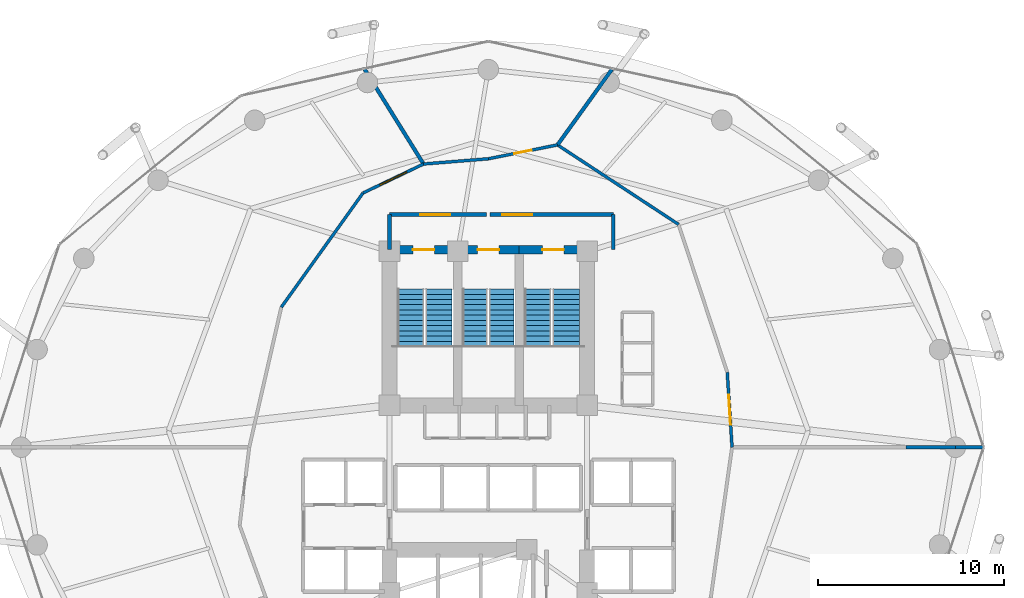
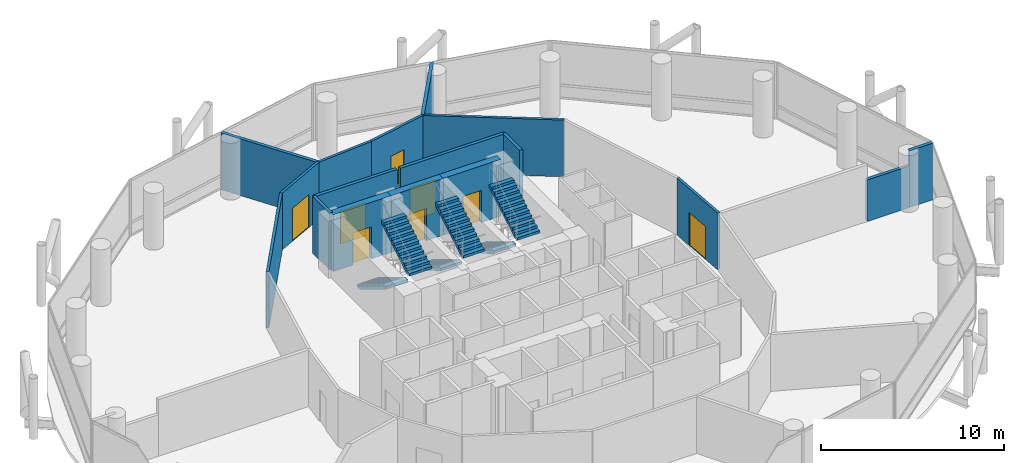
# One storey, part 23 of 24: 17 walls, 8 doors, 6 stair flights, 8 openings, 3 elements without a shape of their own.
"""IFC4 building model written with IfcOpenShell, lengths in metres."""

from ifc_helpers import new_model, si_unit, direction, frame, frame_2d, origin, place, context, subcontext, project, spatial, polyline, rectangle, outline, extrude, material, layer, layer_set, type_object, element, fill, aggregate, save


model = new_model("IFC4")

# Units and contexts
model_context = context("Model", 3, precision=1e-05, world=origin(), true_north=direction((0.0, 1.0)))
body_context = subcontext(model_context, "Body", "Model", "MODEL_VIEW")
ifc_project = project(units=[si_unit("LENGTHUNIT", "METRE"), si_unit("AREAUNIT", "SQUARE_METRE"), si_unit("VOLUMEUNIT", "CUBIC_METRE"), si_unit("PLANEANGLEUNIT", "RADIAN"), si_unit("MASSUNIT", "GRAM", prefix="KILO")], contexts=[model_context])

# Site, building, storey
site_placement = place(None, origin())
site = spatial("IfcSite", under=ifc_project, at=site_placement, CompositionType="ELEMENT")
building_placement = place(site_placement, origin())
building = spatial("IfcBuilding", under=site, at=building_placement, Name="Nuhasar Tower", CompositionType="ELEMENT")
storey_placement = place(building_placement, frame((0.0, 0.0, 25.050048828125)))
storey = spatial("IfcBuildingStorey", under=building, at=storey_placement, Name="L05", CompositionType="ELEMENT", Elevation=25.050048828125)

# Wall, opening, door
ifc_material_1 = material(Name="Concrete C50/60", Category="concrete")
ifc_layer_1 = layer(ifc_material_1, 0.449951171875)
ifc_layer_set_1 = layer_set([ifc_layer_1], Name="Concrete C50/60")
wall_type_1 = type_object("IfcWallType", Name="WL-CORE-450", PredefinedType="SHEAR", material=ifc_layer_set_1)
wall_1_placement = place(storey_placement, frame((37.35009765625, 37.39990234375, 0.0), z_axis=(0.0, 0.0, 1.0), x_axis=(-1.0, 0.0, 0.0)))
wall_1 = element("IfcWall", 1, at=wall_1_placement, inside=storey, type_object=wall_type_1, Name="L05 Stairwell Shear Wall ST01-N", PredefinedType="SHEAR", context=body_context, shape_type="SweptSolid", body=[
    extrude(rectangle(XDim=3.650146484375, YDim=0.449951171875, at=frame_2d((1.8251953125, 0.0))), origin(), (0.0, 0.0, 1.0), 3.7900390625),
])
opening_1_placement = place(wall_1_placement, frame((1.25, 0.0, 0.0)))
opening_1 = element("IfcOpeningElement", 2, at=opening_1_placement, cuts=wall_1, Name="Opening DS-01", PredefinedType="OPENING", context=body_context, shape_type="SweptSolid", body=[
    extrude(rectangle(XDim=1.14990234375, YDim=2.14990234375, at=frame_2d((0.574951171875, 1.074951171875))), frame((0.0, 0.23486328125, 0.0), z_axis=(0.0, -1.0, 0.0), x_axis=(1.0, 0.0, 0.0)), (0.0, 0.0, 1.0), 0.469970703125),
])
ifc_material_2 = material(Name="Steel S355", Category="steel")
door_type_1 = type_object("IfcDoorType", Name="DR-STAIR-FD120-1150", OperationType="NOTDEFINED", PredefinedType="DOOR", material=ifc_material_2)
door_1_placement = place(opening_1_placement, origin())
door_1 = element("IfcDoor", 3, at=door_1_placement, inside=storey, type_object=door_type_1, Name="L05 Exit Stair ST-01 Door", OperationType="SINGLE_SWING_RIGHT", OverallHeight=2.14990234375, OverallWidth=1.14990234375, PredefinedType="DOOR", context=body_context, shape_type="SweptSolid", body=[
    extrude(rectangle(XDim=1.14990234375, YDim=2.14990234375, at=frame_2d((0.574951171875, 1.074951171875))), frame((0.0, 0.02490234375, 0.0), z_axis=(0.0, -1.0, 0.0), x_axis=(1.0, 0.0, 0.0)), (0.0, 0.0, 1.0), 0.050048828125),
])
fill(opening_1, door_1)

wall_2_placement = place(storey_placement, frame((40.64990234375, 37.39990234375, 0.0), z_axis=(0.0, 0.0, 1.0), x_axis=(-1.0, 0.0, 0.0)))
wall_2 = element("IfcWall", 4, at=wall_2_placement, inside=storey, type_object=wall_type_1, Name="L05 Stairwell Shear Wall ST03-N", PredefinedType="SHEAR", context=body_context, shape_type="SweptSolid", body=[
    extrude(rectangle(XDim=3.2998046875, YDim=0.449951171875, at=frame_2d((1.64990234375, 0.0))), origin(), (0.0, 0.0, 1.0), 3.7900390625),
])
opening_2_placement = place(wall_2_placement, frame((1.074951171875, 0.0, 0.0)))
opening_2 = element("IfcOpeningElement", 5, at=opening_2_placement, cuts=wall_2, Name="Opening DS-01", PredefinedType="OPENING", context=body_context, shape_type="SweptSolid", body=[
    extrude(rectangle(XDim=1.14990234375, YDim=2.14990234375, at=frame_2d((0.574951171875, 1.074951171875))), frame((0.0, 0.23486328125, 0.0), z_axis=(0.0, -1.0, 0.0), x_axis=(1.0, 0.0, 0.0)), (0.0, 0.0, 1.0), 0.469970703125),
])
door_2_placement = place(opening_2_placement, origin())
door_2 = element("IfcDoor", 6, at=door_2_placement, inside=storey, type_object=door_type_1, Name="L05 Exit Stair ST-03 Door", OperationType="SINGLE_SWING_RIGHT", OverallHeight=2.14990234375, OverallWidth=1.14990234375, PredefinedType="DOOR", context=body_context, shape_type="SweptSolid", body=[
    extrude(rectangle(XDim=1.14990234375, YDim=2.14990234375, at=frame_2d((0.574951171875, 1.074951171875))), frame((0.0, 0.02490234375, 0.0), z_axis=(0.0, -1.0, 0.0), x_axis=(1.0, 0.0, 0.0)), (0.0, 0.0, 1.0), 0.050048828125),
])
fill(opening_2, door_2)

wall_3_placement = place(storey_placement, frame((44.300048828125, 37.39990234375, 0.0), z_axis=(0.0, 0.0, 1.0), x_axis=(-1.0, 0.0, 0.0)))
wall_3 = element("IfcWall", 7, at=wall_3_placement, inside=storey, type_object=wall_type_1, Name="L05 Stairwell Shear Wall ST02-N", PredefinedType="SHEAR", context=body_context, shape_type="SweptSolid", body=[
    extrude(rectangle(XDim=3.650146484375, YDim=0.449951171875, at=frame_2d((1.8251953125, 0.0))), origin(), (0.0, 0.0, 1.0), 3.7900390625),
])
opening_3_placement = place(wall_3_placement, frame((1.25, 0.0, 0.0)))
opening_3 = element("IfcOpeningElement", 8, at=opening_3_placement, cuts=wall_3, Name="Opening DS-01", PredefinedType="OPENING", context=body_context, shape_type="SweptSolid", body=[
    extrude(rectangle(XDim=1.14990234375, YDim=2.14990234375, at=frame_2d((0.574951171875, 1.074951171875))), frame((0.0, 0.23486328125, 0.0), z_axis=(0.0, -1.0, 0.0), x_axis=(1.0, 0.0, 0.0)), (0.0, 0.0, 1.0), 0.469970703125),
])
door_3_placement = place(opening_3_placement, origin())
door_3 = element("IfcDoor", 9, at=door_3_placement, inside=storey, type_object=door_type_1, Name="L05 Exit Stair ST-02 Door", OperationType="SINGLE_SWING_LEFT", OverallHeight=2.14990234375, OverallWidth=1.14990234375, PredefinedType="DOOR", context=body_context, shape_type="SweptSolid", body=[
    extrude(rectangle(XDim=1.14990234375, YDim=2.14990234375, at=frame_2d((0.574951171875, 1.074951171875))), frame((0.0, 0.02490234375, 0.0), z_axis=(0.0, -1.0, 0.0), x_axis=(1.0, 0.0, 0.0)), (0.0, 0.0, 1.0), 0.050048828125),
])
fill(opening_3, door_3)

ifc_material_3 = material(Name="Gypsum Board", Category="gypsum")
ifc_layer_2 = layer(ifc_material_3, 0.159912109375)
ifc_layer_set_2 = layer_set([ifc_layer_2], Name="Gypsum Board")
wall_type_2 = type_object("IfcWallType", Name="WL-CORR-160", PredefinedType="PARTITIONING", material=ifc_layer_set_2)
wall_4_placement = place(storey_placement, frame((51.81201171875, 30.822021484375, 0.0), z_axis=(0.0, 0.0, 1.0), x_axis=(0.064030047677, -0.997947971086, 0.0)))
wall_4 = element("IfcWall", 10, at=wall_4_placement, inside=storey, type_object=wall_type_2, Name="L05 Interior Partition CORR-00", PredefinedType="PARTITIONING", context=body_context, shape_type="SweptSolid", body=[
    extrude(rectangle(XDim=4.0302734375, YDim=0.159912109375, at=frame_2d((2.01513671875, 0.0))), origin(), (0.0, 0.0, 1.0), 3.7900390625),
])
opening_4_placement = place(wall_4_placement, frame((1.215087890625, 0.0, 0.0)))
opening_4 = element("IfcOpeningElement", 11, at=opening_4_placement, cuts=wall_4, Name="Opening DC-01", PredefinedType="OPENING", context=body_context, shape_type="SweptSolid", body=[
    extrude(rectangle(XDim=1.60009765625, YDim=2.199951171875, at=frame_2d((0.800048828125, 1.10009765625))), frame((0.0, 0.08984375, 0.0), z_axis=(0.0, -1.0, 0.0), x_axis=(1.0, 0.0, 0.0)), (0.0, 0.0, 1.0), 0.179931640625),
])
door_type_2 = type_object("IfcDoorType", Name="DR-CORR-FD60-1600", OperationType="DOUBLE_DOOR_SINGLE_SWING", PredefinedType="DOOR", material=ifc_material_2)
door_4_placement = place(opening_4_placement, origin())
door_4 = element("IfcDoor", 12, at=door_4_placement, inside=storey, type_object=door_type_2, Name="L05 Open-Plan Office North-East Entry Door", OperationType="DOUBLE_DOOR_SINGLE_SWING", OverallHeight=2.199951171875, OverallWidth=1.60009765625, PredefinedType="DOOR", context=body_context, shape_type="SweptSolid", body=[
    extrude(rectangle(XDim=1.60009765625, YDim=2.199951171875, at=frame_2d((0.800048828125, 1.10009765625))), frame((0.0, 0.02490234375, 0.0), z_axis=(0.0, -1.0, 0.0), x_axis=(1.0, 0.0, 0.0)), (0.0, 0.0, 1.0), 0.050048828125),
])
fill(opening_4, door_4)

# Wall
wall_5_placement = place(storey_placement, frame((49.200927734375, 38.751953125, 0.0), z_axis=(0.0, 0.0, 1.0), x_axis=(-0.835989779889, 0.548745011751, 0.0)))
element("IfcWall", 13, at=wall_5_placement, inside=storey, type_object=wall_type_2, Name="L05 Interior Partition CORR-06", PredefinedType="PARTITIONING", context=body_context, shape_type="SweptSolid", body=[
    extrude(rectangle(XDim=7.766845703125, YDim=0.159912109375, at=frame_2d((3.88330078125, 0.0))), origin(), (0.0, 0.0, 1.0), 3.7900390625),
])

# Wall, opening, door
wall_6_placement = place(storey_placement, frame((39.0, 42.27001953125, 0.0), z_axis=(0.0, 0.0, 1.0), x_axis=(0.980463806225, 0.196699579771, 0.0)))
wall_6 = element("IfcWall", 14, at=wall_6_placement, inside=storey, type_object=wall_type_2, Name="L05 Interior Partition CORR-10", PredefinedType="PARTITIONING", context=body_context, shape_type="SweptSolid", body=[
    extrude(rectangle(XDim=3.781982421875, YDim=0.159912109375, at=frame_2d((1.89111328125, 0.0))), origin(), (0.0, 0.0, 1.0), 3.7900390625),
])
opening_5_placement = place(wall_6_placement, frame((1.416015625, 0.0, 0.0)))
opening_5 = element("IfcOpeningElement", 15, at=opening_5_placement, cuts=wall_6, Name="Opening DO-01", PredefinedType="OPENING", context=body_context, shape_type="SweptSolid", body=[
    extrude(rectangle(XDim=0.949951171875, YDim=2.14990234375, at=frame_2d((0.47509765625, 1.074951171875))), frame((0.0, 0.08984375, 0.0), z_axis=(0.0, -1.0, 0.0), x_axis=(1.0, 0.0, 0.0)), (0.0, 0.0, 1.0), 0.179931640625),
])
ifc_material_4 = material(Name="Timber Oak", Category="wood")
door_type_3 = type_object("IfcDoorType", Name="DR-OFFICE-FD30-950", OperationType="NOTDEFINED", PredefinedType="DOOR", material=ifc_material_4)
door_5_placement = place(opening_5_placement, origin())
door_5 = element("IfcDoor", 16, at=door_5_placement, inside=storey, type_object=door_type_3, Name="L05 Executive Boardroom Entry Door", OperationType="SINGLE_SWING_RIGHT", OverallHeight=2.14990234375, OverallWidth=0.949951171875, PredefinedType="DOOR", context=body_context, shape_type="SweptSolid", body=[
    extrude(rectangle(XDim=0.949951171875, YDim=2.14990234375, at=frame_2d((0.47509765625, 1.074951171875))), frame((0.0, 0.02490234375, 0.0), z_axis=(0.0, -1.0, 0.0), x_axis=(1.0, 0.0, 0.0)), (0.0, 0.0, 1.0), 0.050048828125),
])
fill(opening_5, door_5)

# Wall
wall_7_placement = place(storey_placement, frame((39.0, 42.27001953125, 0.0), z_axis=(0.0, 0.0, 1.0), x_axis=(-0.99676721303, -0.080343780277, 0.0)))
element("IfcWall", 17, at=wall_7_placement, inside=storey, type_object=wall_type_2, Name="L05 Interior Partition CORR-12", PredefinedType="PARTITIONING", context=body_context, shape_type="SweptSolid", body=[
    extrude(rectangle(XDim=3.4853515625, YDim=0.159912109375, at=frame_2d((1.74267578125, 0.0))), origin(), (0.0, 0.0, 1.0), 3.7900390625),
])

# Wall, opening, door
wall_8_placement = place(storey_placement, frame((32.281005859375, 40.43603515625, 0.0), z_axis=(0.0, 0.0, 1.0), x_axis=(0.901911315708, 0.43192126435, 0.0)))
wall_8 = element("IfcWall", 18, at=wall_8_placement, inside=storey, type_object=wall_type_2, Name="L05 Interior Partition CORR-14", PredefinedType="PARTITIONING", context=body_context, shape_type="SweptSolid", body=[
    extrude(rectangle(XDim=3.59765625, YDim=0.159912109375, at=frame_2d((1.798828125, 0.0))), origin(), (0.0, 0.0, 1.0), 3.7900390625),
])
opening_6_placement = place(wall_8_placement, frame((0.9990234375, 0.0, 0.0)))
opening_6 = element("IfcOpeningElement", 19, at=opening_6_placement, cuts=wall_8, Name="Opening DC-01", PredefinedType="OPENING", context=body_context, shape_type="SweptSolid", body=[
    extrude(rectangle(XDim=1.60009765625, YDim=2.199951171875, at=frame_2d((0.800048828125, 1.10009765625))), frame((0.0, 0.08984375, 0.0), z_axis=(0.0, -1.0, 0.0), x_axis=(1.0, 0.0, 0.0)), (0.0, 0.0, 1.0), 0.179931640625),
])
door_6_placement = place(opening_6_placement, origin())
door_6 = element("IfcDoor", 20, at=door_6_placement, inside=storey, type_object=door_type_2, Name="L05 Open-Plan Office North-West Entry Door", OperationType="DOUBLE_DOOR_SINGLE_SWING", OverallHeight=2.199951171875, OverallWidth=1.60009765625, PredefinedType="DOOR", context=body_context, shape_type="SweptSolid", body=[
    extrude(rectangle(XDim=1.60009765625, YDim=2.199951171875, at=frame_2d((0.800048828125, 1.10009765625))), frame((0.0, 0.02490234375, 0.0), z_axis=(0.0, -1.0, 0.0), x_axis=(1.0, 0.0, 0.0)), (0.0, 0.0, 1.0), 0.050048828125),
])
fill(opening_6, door_6)

# Walls
wall_9_placement = place(storey_placement, frame((32.281005859375, 40.43603515625, 0.0), z_axis=(0.0, 0.0, 1.0), x_axis=(-0.581884927471, -0.813271130179, 0.0)))
element("IfcWall", 21, at=wall_9_placement, inside=storey, type_object=wall_type_2, Name="L05 Interior Partition CORR-16", PredefinedType="PARTITIONING", context=body_context, shape_type="SweptSolid", body=[
    extrude(rectangle(XDim=7.532470703125, YDim=0.159912109375, at=frame_2d((3.76611328125, 0.0))), origin(), (0.0, 0.0, 1.0), 3.7900390625),
])
ifc_material_5 = material(Name="Concrete C45/55", Category="concrete")
ifc_layer_3 = layer(ifc_material_5, 0.199951171875)
ifc_layer_set_3 = layer_set([ifc_layer_3], Name="Concrete C45/55")
wall_type_3 = type_object("IfcWallType", Name="WL-LOBBY-200", PredefinedType="SOLIDWALL", material=ifc_layer_set_3)
for number, where, z_axis, x_axis, name in (
    (22, (33.699951171875, 37.39990234375, 0.0), (0.0, 0.0, 1.0), (0.0, 1.0, 0.0), "L05 Interior Partition NSL-W"),
    (23, (45.699951171875, 37.39990234375, 0.0), (0.0, 0.0, 1.0), (0.0, 1.0, 0.0), "L05 Interior Partition NSL-E"),
):
    element("IfcWall", number, at=place(storey_placement, frame(where, z_axis=z_axis, x_axis=x_axis)), inside=storey, type_object=wall_type_3, Name=name, PredefinedType="SOLIDWALL", context=body_context, shape_type="SweptSolid", body=[
        extrude(rectangle(XDim=1.880126953125, YDim=0.199951171875, at=frame_2d((0.93994140625, 0.0))), origin(), (0.0, 0.0, 1.0), 3.7900390625),
    ])

# Wall, opening, door
wall_10_placement = place(storey_placement, frame((38.89990234375, 39.280029296875, 0.0), z_axis=(0.0, 0.0, 1.0), x_axis=(-1.0, 0.0, 0.0)))
wall_10 = element("IfcWall", 24, at=wall_10_placement, inside=storey, type_object=wall_type_3, Name="L05 Interior Partition NSL-N1", PredefinedType="SOLIDWALL", context=body_context, shape_type="SweptSolid", body=[
    extrude(rectangle(XDim=5.199951171875, YDim=0.199951171875, at=frame_2d((2.60009765625, 0.0))), origin(), (0.0, 0.0, 1.0), 3.7900390625),
])
opening_7_placement = place(wall_10_placement, frame((1.949951171875, 0.0, 0.0)))
opening_7 = element("IfcOpeningElement", 25, at=opening_7_placement, cuts=wall_10, Name="Opening DC-01", PredefinedType="OPENING", context=body_context, shape_type="SweptSolid", body=[
    extrude(rectangle(XDim=1.60009765625, YDim=2.199951171875, at=frame_2d((0.800048828125, 1.10009765625))), frame((0.0, 0.10986328125, 0.0), z_axis=(0.0, -1.0, 0.0), x_axis=(1.0, 0.0, 0.0)), (0.0, 0.0, 1.0), 0.219970703125),
])
door_7_placement = place(opening_7_placement, origin())
door_7 = element("IfcDoor", 26, at=door_7_placement, inside=storey, type_object=door_type_2, Name="L05 North Stair Lobby West Door", OperationType="DOUBLE_DOOR_SINGLE_SWING", OverallHeight=2.199951171875, OverallWidth=1.60009765625, PredefinedType="DOOR", context=body_context, shape_type="SweptSolid", body=[
    extrude(rectangle(XDim=1.60009765625, YDim=2.199951171875, at=frame_2d((0.800048828125, 1.10009765625))), frame((0.0, 0.02490234375, 0.0), z_axis=(0.0, -1.0, 0.0), x_axis=(1.0, 0.0, 0.0)), (0.0, 0.0, 1.0), 0.050048828125),
])
fill(opening_7, door_7)

wall_11_placement = place(storey_placement, frame((45.699951171875, 39.280029296875, 0.0), z_axis=(0.0, 0.0, 1.0), x_axis=(-1.0, 0.0, 0.0)))
wall_11 = element("IfcWall", 27, at=wall_11_placement, inside=storey, type_object=wall_type_3, Name="L05 Interior Partition NSL-N2", PredefinedType="SOLIDWALL", context=body_context, shape_type="SweptSolid", body=[
    extrude(rectangle(XDim=6.599853515625, YDim=0.199951171875, at=frame_2d((3.2998046875, 0.0))), origin(), (0.0, 0.0, 1.0), 3.7900390625),
])
opening_8_placement = place(wall_11_placement, frame((4.35009765625, 0.0, 0.0)))
opening_8 = element("IfcOpeningElement", 28, at=opening_8_placement, cuts=wall_11, Name="Opening DC-01", PredefinedType="OPENING", context=body_context, shape_type="SweptSolid", body=[
    extrude(rectangle(XDim=1.60009765625, YDim=2.199951171875, at=frame_2d((0.800048828125, 1.10009765625))), frame((0.0, 0.10986328125, 0.0), z_axis=(0.0, -1.0, 0.0), x_axis=(1.0, 0.0, 0.0)), (0.0, 0.0, 1.0), 0.219970703125),
])
door_8_placement = place(opening_8_placement, origin())
door_8 = element("IfcDoor", 29, at=door_8_placement, inside=storey, type_object=door_type_2, Name="L05 North Stair Lobby East Door", OperationType="DOUBLE_DOOR_SINGLE_SWING", OverallHeight=2.199951171875, OverallWidth=1.60009765625, PredefinedType="DOOR", context=body_context, shape_type="SweptSolid", body=[
    extrude(rectangle(XDim=1.60009765625, YDim=2.199951171875, at=frame_2d((0.800048828125, 1.10009765625))), frame((0.0, 0.02490234375, 0.0), z_axis=(0.0, -1.0, 0.0), x_axis=(1.0, 0.0, 0.0)), (0.0, 0.0, 1.0), 0.050048828125),
])
fill(opening_8, door_8)

# Walls
ifc_material_6 = material(Name="Concrete C40/50 precast", Category="concrete")
ifc_layer_4 = layer(ifc_material_6, 0.199951171875)
ifc_layer_set_4 = layer_set([ifc_layer_4], Name="Concrete C40/50 precast")
wall_type_4 = type_object("IfcWallType", Name="WL-UNIT-200", PredefinedType="PARTITIONING", material=ifc_layer_set_4)
wall_12_placement = place(storey_placement, frame((61.40087890625, 26.800048828125, 0.0), z_axis=(0.0, 0.0, 1.0), x_axis=(1.0, 0.0, 0.0)))
element("IfcWall", 30, at=wall_12_placement, inside=storey, type_object=wall_type_4, Name="L05 Interior Partition ORAD-00", PredefinedType="PARTITIONING", context=body_context, shape_type="SweptSolid", body=[
    extrude(rectangle(XDim=2.66015625, YDim=0.199951171875, at=frame_2d((1.330078125, 0.0))), origin(), (0.0, 0.0, 1.0), 2.780029296875),
])
wall_13_placement = place(storey_placement, frame((64.06103515625, 26.800048828125, 0.0), z_axis=(0.0, 0.0, 1.0), x_axis=(1.0, 0.0, 0.0)))
element("IfcWall", 31, at=wall_13_placement, inside=storey, type_object=wall_type_4, Name="L05 Interior Partition ORAD-00", PredefinedType="PARTITIONING", context=body_context, shape_type="SweptSolid", body=[
    extrude(rectangle(XDim=1.4638671875, YDim=0.199951171875, at=frame_2d((0.73193359375, 0.0))), origin(), (0.0, 0.0, 1.0), 3.7900390625),
])
wall_14_placement = place(storey_placement, frame((42.7080078125, 43.013916015625, 0.0), z_axis=(0.0, 0.0, 1.0), x_axis=(0.584877047309, 0.811121963413, 0.0)))
element("IfcWall", 32, at=wall_14_placement, inside=storey, type_object=wall_type_4, Name="L05 Interior Partition ORAD-10", PredefinedType="PARTITIONING", context=body_context, shape_type="SweptSolid", body=[
    extrude(rectangle(XDim=4.99951171875, YDim=0.199951171875, at=frame_2d((2.499755859375, 0.0))), origin(), (0.0, 0.0, 1.0), 3.7900390625),
])
wall_15_placement = place(storey_placement, frame((35.52587890625, 41.989990234375, 0.0), z_axis=(0.0, 0.0, 1.0), x_axis=(-0.527898308029, 0.849307586438, 0.0)))
element("IfcWall", 33, at=wall_15_placement, inside=storey, type_object=wall_type_4, Name="L05 Interior Partition ORAD-14", PredefinedType="PARTITIONING", context=body_context, shape_type="SweptSolid", body=[
    extrude(rectangle(XDim=5.980224609375, YDim=0.199951171875, at=frame_2d((2.990234375, 0.0))), origin(), (0.0, 0.0, 1.0), 3.7900390625),
])

# Stair, stair flights
stair_type_1 = type_object("IfcStairType", Name="STR-ST-01-2F-24R-1688", PredefinedType="HALF_TURN_STAIR", material=ifc_material_5)
stair_1_placement = place(storey_placement, origin())
stair_1 = element("IfcStair", 34, at=stair_1_placement, inside=storey, type_object=stair_type_1, Name="L05 Exit Stair ST-01", PredefinedType="HALF_TURN_STAIR")
stair_flight_type_1 = type_object("IfcStairFlightType", Name="SFL-ST-01-12R-1688", PredefinedType="STRAIGHT", material=ifc_material_5)
stair_flight_1_placement = place(storey_placement, frame((34.830078125, 35.284912109375, 0.0), z_axis=(0.0, 0.0, 1.0), x_axis=(0.0, -1.0, 0.0)))
stair_flight_1 = element("IfcStairFlight", 35, at=stair_flight_1_placement, type_object=stair_flight_type_1, Name="ST-01 flight 1", NumberOfRisers=12, NumberOfTreads=11, PredefinedType="STRAIGHT", RiserHeight=0.16875, TreadLength=0.28, context=body_context, shape_type="SweptSolid", body=[
    extrude(outline(polyline([(0.0, 0.0), (0.0, 0.168701171875), (0.280029296875, 0.168701171875), (0.280029296875, 0.33740234375), (0.56005859375, 0.33740234375), (0.56005859375, 0.50634765625), (0.840087890625, 0.50634765625), (0.840087890625, 0.675048828125), (1.1201171875, 0.675048828125), (1.1201171875, 0.84375), (1.39990234375, 0.84375), (1.39990234375, 1.012451171875), (1.679931640625, 1.012451171875), (1.679931640625, 1.18115234375), (1.9599609375, 1.18115234375), (1.9599609375, 1.35009765625), (2.239990234375, 1.35009765625), (2.239990234375, 1.518798828125), (2.52001953125, 1.518798828125), (2.52001953125, 1.6875), (2.800048828125, 1.6875), (2.800048828125, 1.856201171875), (3.080078125, 1.856201171875), (3.080078125, 2.02490234375), (3.080078125, 1.66943359375), (0.309814453125, 0.0), (0.0, 0.0)])), frame((0.0, 0.7099609375, 0.0), z_axis=(0.0, -1.0, 0.0), x_axis=(1.0, 0.0, 0.0)), (0.0, 0.0, 1.0), 1.419921875),
])
stair_flight_2_placement = place(storey_placement, frame((36.35009765625, 32.205078125, 2.02490234375), z_axis=(0.0, 0.0, 1.0), x_axis=(0.0, 1.0, 0.0)))
stair_flight_2 = element("IfcStairFlight", 36, at=stair_flight_2_placement, type_object=stair_flight_type_1, Name="ST-01 flight 2", NumberOfRisers=12, NumberOfTreads=11, PredefinedType="STRAIGHT", RiserHeight=0.16875, TreadLength=0.28, context=body_context, shape_type="SweptSolid", body=[
    extrude(outline(polyline([(0.0, 0.0), (0.0, 0.168701171875), (0.280029296875, 0.168701171875), (0.280029296875, 0.33740234375), (0.56005859375, 0.33740234375), (0.56005859375, 0.50634765625), (0.840087890625, 0.50634765625), (0.840087890625, 0.675048828125), (1.1201171875, 0.675048828125), (1.1201171875, 0.84375), (1.39990234375, 0.84375), (1.39990234375, 1.012451171875), (1.679931640625, 1.012451171875), (1.679931640625, 1.18115234375), (1.9599609375, 1.18115234375), (1.9599609375, 1.35009765625), (2.239990234375, 1.35009765625), (2.239990234375, 1.518798828125), (2.52001953125, 1.518798828125), (2.52001953125, 1.6875), (2.800048828125, 1.6875), (2.800048828125, 1.856201171875), (3.080078125, 1.856201171875), (3.080078125, 2.02490234375), (3.080078125, 1.66943359375), (0.309814453125, 0.0), (0.0, 0.0)])), frame((0.0, 0.7099609375, 0.0), z_axis=(0.0, -1.0, 0.0), x_axis=(1.0, 0.0, 0.0)), (0.0, 0.0, 1.0), 1.419921875),
])
aggregate(stair_1, [stair_flight_1, stair_flight_2])

stair_type_2 = type_object("IfcStairType", Name="STR-ST-02-2F-24R-1688", PredefinedType="HALF_TURN_STAIR", material=ifc_material_5)
stair_2_placement = place(storey_placement, origin())
stair_2 = element("IfcStair", 37, at=stair_2_placement, inside=storey, type_object=stair_type_2, Name="L05 Exit Stair ST-02", PredefinedType="HALF_TURN_STAIR")
stair_flight_type_2 = type_object("IfcStairFlightType", Name="SFL-ST-02-12R-1688", PredefinedType="STRAIGHT", material=ifc_material_5)
stair_flight_3_placement = place(storey_placement, frame((41.64990234375, 35.284912109375, 0.0), z_axis=(0.0, 0.0, 1.0), x_axis=(0.0, -1.0, 0.0)))
stair_flight_3 = element("IfcStairFlight", 38, at=stair_flight_3_placement, type_object=stair_flight_type_2, Name="ST-02 flight 1", NumberOfRisers=12, NumberOfTreads=11, PredefinedType="STRAIGHT", RiserHeight=0.16875, TreadLength=0.28, context=body_context, shape_type="SweptSolid", body=[
    extrude(outline(polyline([(0.0, 0.0), (0.0, 0.168701171875), (0.280029296875, 0.168701171875), (0.280029296875, 0.33740234375), (0.56005859375, 0.33740234375), (0.56005859375, 0.50634765625), (0.840087890625, 0.50634765625), (0.840087890625, 0.675048828125), (1.1201171875, 0.675048828125), (1.1201171875, 0.84375), (1.39990234375, 0.84375), (1.39990234375, 1.012451171875), (1.679931640625, 1.012451171875), (1.679931640625, 1.18115234375), (1.9599609375, 1.18115234375), (1.9599609375, 1.35009765625), (2.239990234375, 1.35009765625), (2.239990234375, 1.518798828125), (2.52001953125, 1.518798828125), (2.52001953125, 1.6875), (2.800048828125, 1.6875), (2.800048828125, 1.856201171875), (3.080078125, 1.856201171875), (3.080078125, 2.02490234375), (3.080078125, 1.66943359375), (0.309814453125, 0.0), (0.0, 0.0)])), frame((0.0, 0.7099609375, 0.0), z_axis=(0.0, -1.0, 0.0), x_axis=(1.0, 0.0, 0.0)), (0.0, 0.0, 1.0), 1.419921875),
])
stair_flight_4_placement = place(storey_placement, frame((43.169921875, 32.205078125, 2.02490234375), z_axis=(0.0, 0.0, 1.0), x_axis=(0.0, 1.0, 0.0)))
stair_flight_4 = element("IfcStairFlight", 39, at=stair_flight_4_placement, type_object=stair_flight_type_2, Name="ST-02 flight 2", NumberOfRisers=12, NumberOfTreads=11, PredefinedType="STRAIGHT", RiserHeight=0.16875, TreadLength=0.28, context=body_context, shape_type="SweptSolid", body=[
    extrude(outline(polyline([(0.0, 0.0), (0.0, 0.168701171875), (0.280029296875, 0.168701171875), (0.280029296875, 0.33740234375), (0.56005859375, 0.33740234375), (0.56005859375, 0.50634765625), (0.840087890625, 0.50634765625), (0.840087890625, 0.675048828125), (1.1201171875, 0.675048828125), (1.1201171875, 0.84375), (1.39990234375, 0.84375), (1.39990234375, 1.012451171875), (1.679931640625, 1.012451171875), (1.679931640625, 1.18115234375), (1.9599609375, 1.18115234375), (1.9599609375, 1.35009765625), (2.239990234375, 1.35009765625), (2.239990234375, 1.518798828125), (2.52001953125, 1.518798828125), (2.52001953125, 1.6875), (2.800048828125, 1.6875), (2.800048828125, 1.856201171875), (3.080078125, 1.856201171875), (3.080078125, 2.02490234375), (3.080078125, 1.66943359375), (0.309814453125, 0.0), (0.0, 0.0)])), frame((0.0, 0.7099609375, 0.0), z_axis=(0.0, -1.0, 0.0), x_axis=(1.0, 0.0, 0.0)), (0.0, 0.0, 1.0), 1.419921875),
])
aggregate(stair_2, [stair_flight_3, stair_flight_4])

stair_type_3 = type_object("IfcStairType", Name="STR-ST-03-2F-24R-1688", PredefinedType="HALF_TURN_STAIR", material=ifc_material_5)
stair_3_placement = place(storey_placement, origin())
stair_3 = element("IfcStair", 40, at=stair_3_placement, inside=storey, type_object=stair_type_3, Name="L05 Exit Stair ST-03", PredefinedType="HALF_TURN_STAIR")
stair_flight_type_3 = type_object("IfcStairFlightType", Name="SFL-ST-03-12R-1688", PredefinedType="STRAIGHT", material=ifc_material_5)
stair_flight_5_placement = place(storey_placement, frame((38.280029296875, 35.284912109375, 0.0), z_axis=(0.0, 0.0, 1.0), x_axis=(0.0, -1.0, 0.0)))
stair_flight_5 = element("IfcStairFlight", 41, at=stair_flight_5_placement, type_object=stair_flight_type_3, Name="ST-03 flight 1", NumberOfRisers=12, NumberOfTreads=11, PredefinedType="STRAIGHT", RiserHeight=0.16875, TreadLength=0.28, context=body_context, shape_type="SweptSolid", body=[
    extrude(outline(polyline([(0.0, 0.0), (0.0, 0.168701171875), (0.280029296875, 0.168701171875), (0.280029296875, 0.33740234375), (0.56005859375, 0.33740234375), (0.56005859375, 0.50634765625), (0.840087890625, 0.50634765625), (0.840087890625, 0.675048828125), (1.1201171875, 0.675048828125), (1.1201171875, 0.84375), (1.39990234375, 0.84375), (1.39990234375, 1.012451171875), (1.679931640625, 1.012451171875), (1.679931640625, 1.18115234375), (1.9599609375, 1.18115234375), (1.9599609375, 1.35009765625), (2.239990234375, 1.35009765625), (2.239990234375, 1.518798828125), (2.52001953125, 1.518798828125), (2.52001953125, 1.6875), (2.800048828125, 1.6875), (2.800048828125, 1.856201171875), (3.080078125, 1.856201171875), (3.080078125, 2.02490234375), (3.080078125, 1.66943359375), (0.309814453125, 0.0), (0.0, 0.0)])), frame((0.0, 0.669921875, 0.0), z_axis=(0.0, -1.0, 0.0), x_axis=(1.0, 0.0, 0.0)), (0.0, 0.0, 1.0), 1.340087890625),
])
stair_flight_6_placement = place(storey_placement, frame((39.719970703125, 32.205078125, 2.02490234375), z_axis=(0.0, 0.0, 1.0), x_axis=(0.0, 1.0, 0.0)))
stair_flight_6 = element("IfcStairFlight", 42, at=stair_flight_6_placement, type_object=stair_flight_type_3, Name="ST-03 flight 2", NumberOfRisers=12, NumberOfTreads=11, PredefinedType="STRAIGHT", RiserHeight=0.16875, TreadLength=0.28, context=body_context, shape_type="SweptSolid", body=[
    extrude(outline(polyline([(0.0, 0.0), (0.0, 0.168701171875), (0.280029296875, 0.168701171875), (0.280029296875, 0.33740234375), (0.56005859375, 0.33740234375), (0.56005859375, 0.50634765625), (0.840087890625, 0.50634765625), (0.840087890625, 0.675048828125), (1.1201171875, 0.675048828125), (1.1201171875, 0.84375), (1.39990234375, 0.84375), (1.39990234375, 1.012451171875), (1.679931640625, 1.012451171875), (1.679931640625, 1.18115234375), (1.9599609375, 1.18115234375), (1.9599609375, 1.35009765625), (2.239990234375, 1.35009765625), (2.239990234375, 1.518798828125), (2.52001953125, 1.518798828125), (2.52001953125, 1.6875), (2.800048828125, 1.6875), (2.800048828125, 1.856201171875), (3.080078125, 1.856201171875), (3.080078125, 2.02490234375), (3.080078125, 1.66943359375), (0.309814453125, 0.0), (0.0, 0.0)])), frame((0.0, 0.669921875, 0.0), z_axis=(0.0, -1.0, 0.0), x_axis=(1.0, 0.0, 0.0)), (0.0, 0.0, 1.0), 1.340087890625),
])
aggregate(stair_3, [stair_flight_5, stair_flight_6])

save(model, "model.ifc")
